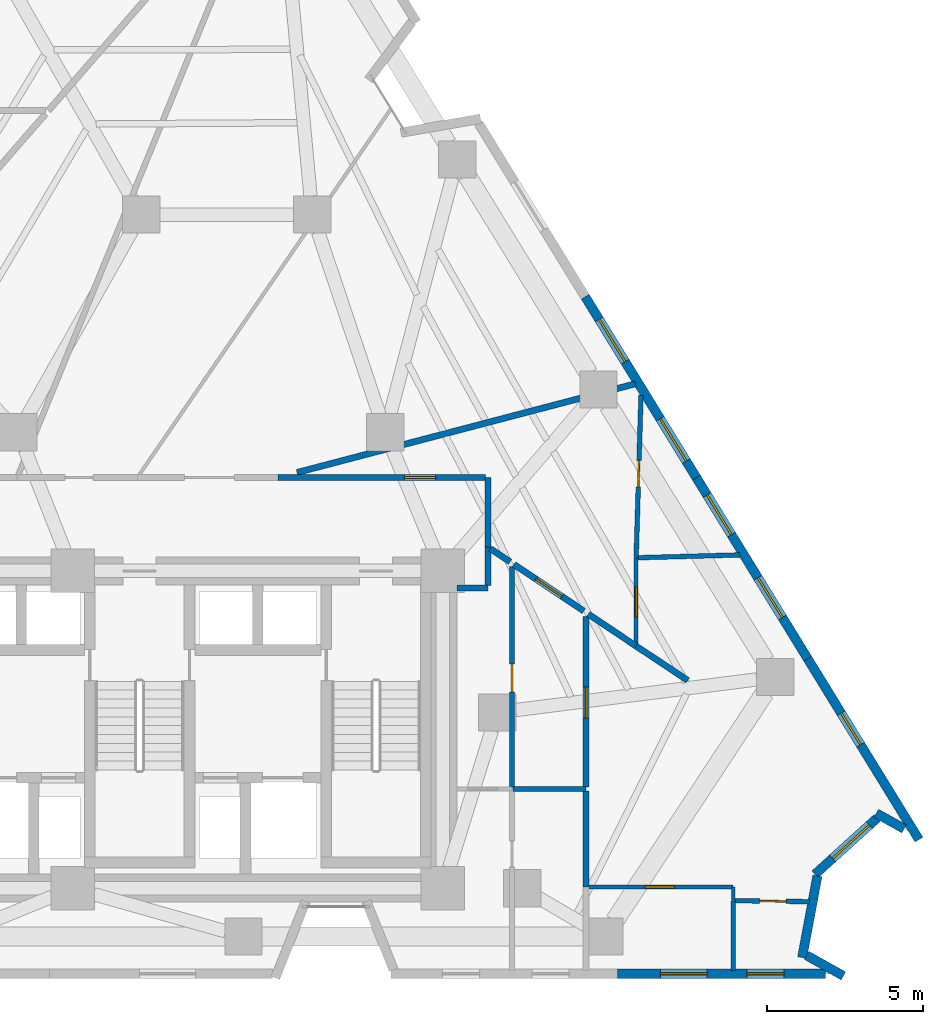
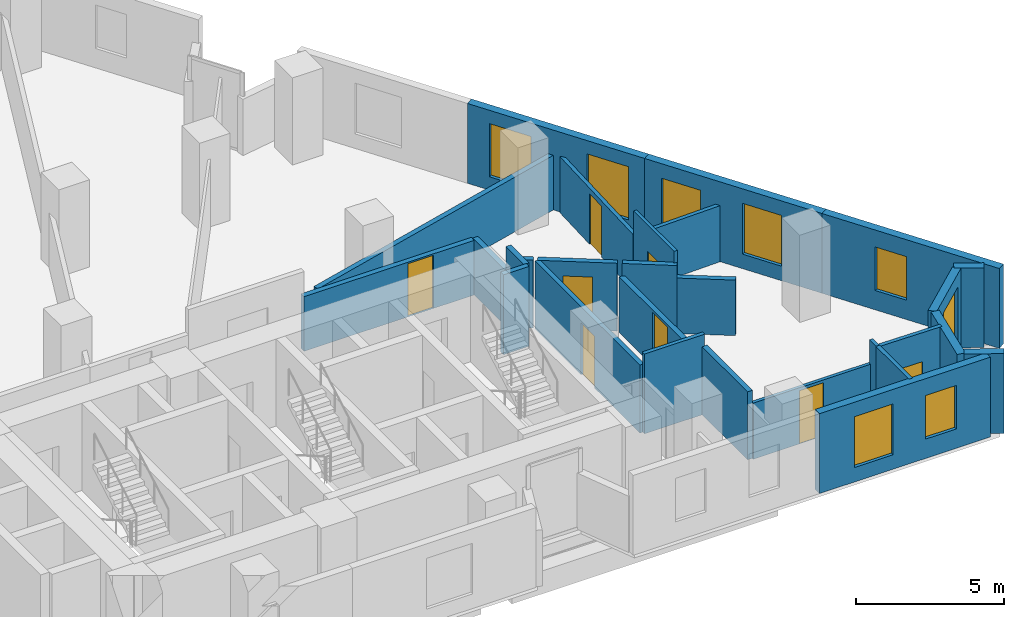
# One storey, part 9 of 13: 28 walls, 8 doors, 8 windows, 16 openings.
"""IFC4 building model written with IfcOpenShell, lengths in metres."""

from ifc_helpers import new_model, si_unit, direction, frame, frame_2d, origin, place, context, subcontext, project, spatial, rectangle, extrude, material, layer, layer_set, type_object, element, fill, save


model = new_model("IFC4")

# Units and contexts
model_context = context("Model", 3, precision=1e-05, world=origin(), true_north=direction((0.0, 1.0)))
body_context = subcontext(model_context, "Body", "Model", "MODEL_VIEW")
ifc_project = project(units=[si_unit("LENGTHUNIT", "METRE"), si_unit("AREAUNIT", "SQUARE_METRE"), si_unit("VOLUMEUNIT", "CUBIC_METRE"), si_unit("PLANEANGLEUNIT", "RADIAN"), si_unit("MASSUNIT", "GRAM", prefix="KILO")], contexts=[model_context])

# Site, building, storey
site_placement = place(None, origin())
site = spatial("IfcSite", under=ifc_project, at=site_placement, CompositionType="ELEMENT")
building_placement = place(site_placement, origin())
building = spatial("IfcBuilding", under=site, at=building_placement, Name="Almagre Mirador Tower", CompositionType="ELEMENT")
storey_placement = place(building_placement, frame((0.0, 0.0, 96.60009765625)))
storey = spatial("IfcBuildingStorey", under=building, at=storey_placement, Name="L24", CompositionType="ELEMENT", Elevation=96.60009765625)

# Wall, openings, windows
ifc_material_1 = material(Name="Precast concrete C50/60", Category="concrete")
ifc_layer_1 = layer(ifc_material_1, 0.300048828125)
ifc_layer_set_1 = layer_set([ifc_layer_1], Name="Precast concrete C50/60")
wall_type_1 = type_object("IfcWallType", Name="WAL-EXT-300", PredefinedType="SOLIDWALL", material=ifc_layer_set_1)
wall_1_placement = place(storey_placement, frame((51.6240234375, 23.55908203125, 0.0), z_axis=(0.0, 0.0, 1.0), x_axis=(0.52370032897, -0.851902556303, 0.0)))
wall_1 = element("IfcWall", 1, at=wall_1_placement, inside=storey, type_object=wall_type_1, Name="L24 expressed almagre precast frame wall 15", PredefinedType="SOLIDWALL", context=body_context, shape_type="SweptSolid", body=[
    extrude(rectangle(XDim=6.8271484375, YDim=0.300048828125, at=frame_2d((3.41357421875, 0.0))), origin(), (0.0, 0.0, 1.0), 3.2998046875),
])
opening_1_placement = place(wall_1_placement, frame((4.60009765625, 0.0, 0.550048828125)))
opening_1 = element("IfcOpeningElement", 2, at=opening_1_placement, cuts=wall_1, Name="Opening WN-06", PredefinedType="OPENING", context=body_context, shape_type="SweptSolid", body=[
    extrude(rectangle(XDim=1.60009765625, YDim=2.199951171875, at=frame_2d((0.800048828125, 1.10009765625))), frame((0.0, 0.159902, 0.0), z_axis=(0.0, -1.0, 0.0), x_axis=(1.0, 0.0, 0.0)), (0.0, 0.0, 1.0), 0.320049),
])
opening_2_placement = place(wall_1_placement, frame((0.85009765625, 0.0, 0.550048828125)))
opening_2 = element("IfcOpeningElement", 3, at=opening_2_placement, cuts=wall_1, Name="Opening WN-06", PredefinedType="OPENING", context=body_context, shape_type="SweptSolid", body=[
    extrude(rectangle(XDim=1.60009765625, YDim=2.199951171875, at=frame_2d((0.800048828125, 1.10009765625))), frame((0.0, 0.159902, 0.0), z_axis=(0.0, -1.0, 0.0), x_axis=(1.0, 0.0, 0.0)), (0.0, 0.0, 1.0), 0.320049),
])
ifc_material_2 = material(Name="Dark solar-control laminated hurricane glass", Category="glass")
window_type_1 = type_object("IfcWindowType", Name="WIN-1600X2200", PartitioningType="DOUBLE_PANEL_VERTICAL", PredefinedType="WINDOW", material=ifc_material_2)
window_1_placement = place(opening_1_placement, origin())
window_1 = element("IfcWindow", 4, at=window_1_placement, inside=storey, type_object=window_type_1, Name="L24 recessed hurricane window L24-UF-BT", OverallHeight=2.199951171875, OverallWidth=1.60009765625, PartitioningType="SINGLE_PANEL", PredefinedType="WINDOW", context=body_context, shape_type="SweptSolid", body=[
    extrude(rectangle(XDim=1.60009765625, YDim=2.199951171875, at=frame_2d((0.800048828125, 1.10009765625))), frame((0.0, 0.030029296875, 0.0), z_axis=(0.0, -1.0, 0.0), x_axis=(1.0, 0.0, 0.0)), (0.0, 0.0, 1.0), 0.06005859375),
])
fill(opening_1, window_1)
window_2_placement = place(opening_2_placement, origin())
window_2 = element("IfcWindow", 5, at=window_2_placement, inside=storey, type_object=window_type_1, Name="L24 recessed hurricane window L24-RST-J", OverallHeight=2.199951171875, OverallWidth=1.60009765625, PartitioningType="SINGLE_PANEL", PredefinedType="WINDOW", context=body_context, shape_type="SweptSolid", body=[
    extrude(rectangle(XDim=1.60009765625, YDim=2.199951171875, at=frame_2d((0.800048828125, 1.10009765625))), frame((0.0, 0.030029296875, 0.0), z_axis=(0.0, -1.0, 0.0), x_axis=(1.0, 0.0, 0.0)), (0.0, 0.0, 1.0), 0.06005859375),
])
fill(opening_2, window_2)

wall_2_placement = place(storey_placement, frame((55.199462890625, 17.742919921875, 0.0), z_axis=(0.0, 0.0, 1.0), x_axis=(0.52370032897, -0.851902556303, 0.0)))
wall_2 = element("IfcWall", 6, at=wall_2_placement, inside=storey, type_object=wall_type_1, Name="L24 expressed almagre precast frame wall 16", PredefinedType="SOLIDWALL", context=body_context, shape_type="SweptSolid", body=[
    extrude(rectangle(XDim=6.8271484375, YDim=0.300048828125, at=frame_2d((3.41357421875, 0.0))), origin(), (0.0, 0.0, 1.0), 3.2998046875),
])
opening_3_placement = place(wall_2_placement, frame((0.64990234375, 0.0, 0.60009765625)))
opening_3 = element("IfcOpeningElement", 7, at=opening_3_placement, cuts=wall_2, Name="Opening WN-03", PredefinedType="OPENING", context=body_context, shape_type="SweptSolid", body=[
    extrude(rectangle(XDim=1.5, YDim=2.10009765625, at=frame_2d((0.75, 1.050048828125))), frame((0.0, 0.159902, 0.0), z_axis=(0.0, -1.0, 0.0), x_axis=(1.0, 0.0, 0.0)), (0.0, 0.0, 1.0), 0.320049),
])
opening_4_placement = place(wall_2_placement, frame((3.77490234375, 0.0, 0.60009765625)))
opening_4 = element("IfcOpeningElement", 8, at=opening_4_placement, cuts=wall_2, Name="Opening WN-03", PredefinedType="OPENING", context=body_context, shape_type="SweptSolid", body=[
    extrude(rectangle(XDim=1.5, YDim=2.10009765625, at=frame_2d((0.75, 1.050048828125))), frame((0.0, 0.159902, 0.0), z_axis=(0.0, -1.0, 0.0), x_axis=(1.0, 0.0, 0.0)), (0.0, 0.0, 1.0), 0.320049),
])
ifc_material_3 = material(Name="Dark solar-control laminated hurricane glass", Category="glass")
window_type_2 = type_object("IfcWindowType", Name="WIN-1500X2100", PartitioningType="DOUBLE_PANEL_VERTICAL", PredefinedType="WINDOW", material=ifc_material_3)
window_3_placement = place(opening_3_placement, origin())
window_3 = element("IfcWindow", 9, at=window_3_placement, inside=storey, type_object=window_type_2, Name="L24 recessed hurricane window L24-UF-BT", OverallHeight=2.10009765625, OverallWidth=1.5, PartitioningType="SINGLE_PANEL", PredefinedType="WINDOW", context=body_context, shape_type="SweptSolid", body=[
    extrude(rectangle(XDim=1.5, YDim=2.10009765625, at=frame_2d((0.75, 1.050048828125))), frame((0.0, 0.030029296875, 0.0), z_axis=(0.0, -1.0, 0.0), x_axis=(1.0, 0.0, 0.0)), (0.0, 0.0, 1.0), 0.06005859375),
])
fill(opening_3, window_3)
window_4_placement = place(opening_4_placement, origin())
window_4 = element("IfcWindow", 10, at=window_4_placement, inside=storey, type_object=window_type_2, Name="L24 recessed hurricane window L24-UF-KT", OverallHeight=2.10009765625, OverallWidth=1.5, PartitioningType="SINGLE_PANEL", PredefinedType="WINDOW", context=body_context, shape_type="SweptSolid", body=[
    extrude(rectangle(XDim=1.5, YDim=2.10009765625, at=frame_2d((0.75, 1.050048828125))), frame((0.0, 0.030029296875, 0.0), z_axis=(0.0, -1.0, 0.0), x_axis=(1.0, 0.0, 0.0)), (0.0, 0.0, 1.0), 0.06005859375),
])
fill(opening_4, window_4)

# Wall, opening, window
wall_3_placement = place(storey_placement, frame((58.77490234375, 11.9267578125, 0.0), z_axis=(0.0, 0.0, 1.0), x_axis=(0.52370032897, -0.851902556303, 0.0)))
wall_3 = element("IfcWall", 11, at=wall_3_placement, inside=storey, type_object=wall_type_1, Name="L24 expressed almagre precast frame wall 17", PredefinedType="SOLIDWALL", context=body_context, shape_type="SweptSolid", body=[
    extrude(rectangle(XDim=6.8271484375, YDim=0.300048828125, at=frame_2d((3.41357421875, 0.0))), origin(), (0.0, 0.0, 1.0), 3.2998046875),
])
opening_5_placement = place(wall_3_placement, frame((2.050048828125, 0.0, 0.800048828125)))
opening_5 = element("IfcOpeningElement", 12, at=opening_5_placement, cuts=wall_3, Name="Opening WN-04", PredefinedType="OPENING", context=body_context, shape_type="SweptSolid", body=[
    extrude(rectangle(XDim=1.199951171875, YDim=1.800048828125, at=frame_2d((0.60009765625, 0.89990234375))), frame((0.0, 0.159902, 0.0), z_axis=(0.0, -1.0, 0.0), x_axis=(1.0, 0.0, 0.0)), (0.0, 0.0, 1.0), 0.320049),
])
ifc_material_4 = material(Name="Dark solar-control laminated hurricane glass", Category="glass")
window_type_3 = type_object("IfcWindowType", Name="WIN-1200X1800", PartitioningType="SINGLE_PANEL", PredefinedType="WINDOW", material=ifc_material_4)
window_5_placement = place(opening_5_placement, origin())
window_5 = element("IfcWindow", 13, at=window_5_placement, inside=storey, type_object=window_type_3, Name="L24 recessed hurricane window L24-UF-KT", OverallHeight=1.800048828125, OverallWidth=1.199951171875, PartitioningType="SINGLE_PANEL", PredefinedType="WINDOW", context=body_context, shape_type="SweptSolid", body=[
    extrude(rectangle(XDim=1.199951171875, YDim=1.800048828125, at=frame_2d((0.60009765625, 0.89990234375))), frame((0.0, 0.030029296875, 0.0), z_axis=(0.0, -1.0, 0.0), x_axis=(1.0, 0.0, 0.0)), (0.0, 0.0, 1.0), 0.06005859375),
])
fill(opening_5, window_5)

# Wall
wall_4_placement = place(storey_placement, frame((61.87109375, 6.45703125, 0.0), z_axis=(0.0, 0.0, 1.0), x_axis=(-0.872635981388, 0.488371215355, 0.0)))
element("IfcWall", 14, at=wall_4_placement, inside=storey, type_object=wall_type_1, Name="L24 expressed almagre precast frame wall 18", PredefinedType="SOLIDWALL", context=body_context, shape_type="SweptSolid", body=[
    extrude(rectangle(XDim=1.02490234375, YDim=0.300048828125, at=frame_2d((0.512451171875, 0.0))), origin(), (0.0, 0.0, 1.0), 3.2998046875),
])

# Wall, opening, window
wall_5_placement = place(storey_placement, frame((61.002685546875, 6.8017578125, 0.0), z_axis=(0.0, 0.0, 1.0), x_axis=(-0.741163448221, -0.671324618215, 0.0)))
wall_5 = element("IfcWall", 15, at=wall_5_placement, inside=storey, type_object=wall_type_1, Name="L24 expressed almagre precast frame wall 19", PredefinedType="SOLIDWALL", context=body_context, shape_type="SweptSolid", body=[
    extrude(rectangle(XDim=2.688232421875, YDim=0.300048828125, at=frame_2d((1.34423828125, 0.0))), origin(), (0.0, 0.0, 1.0), 3.2998046875),
])
opening_6_placement = place(wall_5_placement, frame((0.330078125, 0.0, 0.550048828125)))
opening_6 = element("IfcOpeningElement", 16, at=opening_6_placement, cuts=wall_5, Name="Opening WN-06", PredefinedType="OPENING", context=body_context, shape_type="SweptSolid", body=[
    extrude(rectangle(XDim=1.60009765625, YDim=2.199951171875, at=frame_2d((0.800048828125, 1.10009765625))), frame((0.0, 0.159902, 0.0), z_axis=(0.0, -1.0, 0.0), x_axis=(1.0, 0.0, 0.0)), (0.0, 0.0, 1.0), 0.320049),
])
window_6_placement = place(opening_6_placement, origin())
window_6 = element("IfcWindow", 17, at=window_6_placement, inside=storey, type_object=window_type_1, Name="L24 recessed hurricane window L24-UD-ST", OverallHeight=2.199951171875, OverallWidth=1.60009765625, PartitioningType="SINGLE_PANEL", PredefinedType="WINDOW", context=body_context, shape_type="SweptSolid", body=[
    extrude(rectangle(XDim=1.60009765625, YDim=2.199951171875, at=frame_2d((0.800048828125, 1.10009765625))), frame((0.0, 0.030029296875, 0.0), z_axis=(0.0, -1.0, 0.0), x_axis=(1.0, 0.0, 0.0)), (0.0, 0.0, 1.0), 0.06005859375),
])
fill(opening_6, window_6)

# Walls
wall_6_placement = place(storey_placement, frame((59.08740234375, 4.948486328125, 0.0), z_axis=(0.0, 0.0, 1.0), x_axis=(-0.183786629236, -0.982966161632, 0.0)))
element("IfcWall", 18, at=wall_6_placement, inside=storey, type_object=wall_type_1, Name="L24 expressed almagre precast frame wall 20", PredefinedType="SOLIDWALL", context=body_context, shape_type="SweptSolid", body=[
    extrude(rectangle(XDim=2.672607421875, YDim=0.300048828125, at=frame_2d((1.33642578125, 0.0))), origin(), (0.0, 0.0, 1.0), 3.2998046875),
])
wall_7_placement = place(storey_placement, frame((58.7353515625, 2.3955078125, 0.0), z_axis=(0.0, 0.0, 1.0), x_axis=(0.872747775204, -0.488171405221, 0.0)))
element("IfcWall", 19, at=wall_7_placement, inside=storey, type_object=wall_type_1, Name="L24 expressed almagre precast frame wall 21", PredefinedType="SOLIDWALL", context=body_context, shape_type="SweptSolid", body=[
    extrude(rectangle(XDim=1.35986328125, YDim=0.300048828125, at=frame_2d((0.679931640625, 0.0))), origin(), (0.0, 0.0, 1.0), 3.2998046875),
])

# Wall, openings, windows
wall_8_placement = place(storey_placement, frame((59.340087890625, 1.800048828125, 0.0), z_axis=(0.0, 0.0, 1.0), x_axis=(-1.0, 0.0, 0.0)))
wall_8 = element("IfcWall", 20, at=wall_8_placement, inside=storey, type_object=wall_type_1, Name="L24 expressed almagre precast frame wall 22", PredefinedType="SOLIDWALL", context=body_context, shape_type="SweptSolid", body=[
    extrude(rectangle(XDim=6.68212890625, YDim=0.300048828125, at=frame_2d((3.341064453125, 0.0))), origin(), (0.0, 0.0, 1.0), 3.2998046875),
])
opening_7_placement = place(wall_8_placement, frame((3.800048828125, 0.0, 0.60009765625)))
opening_7 = element("IfcOpeningElement", 21, at=opening_7_placement, cuts=wall_8, Name="Opening WN-03", PredefinedType="OPENING", context=body_context, shape_type="SweptSolid", body=[
    extrude(rectangle(XDim=1.5, YDim=2.10009765625, at=frame_2d((0.75, 1.050048828125))), frame((0.0, 0.159902, 0.0), z_axis=(0.0, -1.0, 0.0), x_axis=(1.0, 0.0, 0.0)), (0.0, 0.0, 1.0), 0.320049),
])
opening_8_placement = place(wall_8_placement, frame((1.324951171875, 0.0, 0.800048828125)))
opening_8 = element("IfcOpeningElement", 22, at=opening_8_placement, cuts=wall_8, Name="Opening WN-04", PredefinedType="OPENING", context=body_context, shape_type="SweptSolid", body=[
    extrude(rectangle(XDim=1.199951171875, YDim=1.800048828125, at=frame_2d((0.60009765625, 0.89990234375))), frame((0.0, 0.159902, 0.0), z_axis=(0.0, -1.0, 0.0), x_axis=(1.0, 0.0, 0.0)), (0.0, 0.0, 1.0), 0.320049),
])
window_7_placement = place(opening_8_placement, origin())
window_7 = element("IfcWindow", 23, at=window_7_placement, inside=storey, type_object=window_type_3, Name="L24 recessed hurricane window L24-UD-BT", OverallHeight=1.800048828125, OverallWidth=1.199951171875, PartitioningType="SINGLE_PANEL", PredefinedType="WINDOW", context=body_context, shape_type="SweptSolid", body=[
    extrude(rectangle(XDim=1.199951171875, YDim=1.800048828125, at=frame_2d((0.60009765625, 0.89990234375))), frame((0.0, 0.030029296875, 0.0), z_axis=(0.0, -1.0, 0.0), x_axis=(1.0, 0.0, 0.0)), (0.0, 0.0, 1.0), 0.06005859375),
])
fill(opening_8, window_7)
window_8_placement = place(opening_7_placement, origin())
window_8 = element("IfcWindow", 24, at=window_8_placement, inside=storey, type_object=window_type_2, Name="L24 recessed hurricane window L24-UD-KT", OverallHeight=2.10009765625, OverallWidth=1.5, PartitioningType="SINGLE_PANEL", PredefinedType="WINDOW", context=body_context, shape_type="SweptSolid", body=[
    extrude(rectangle(XDim=1.5, YDim=2.10009765625, at=frame_2d((0.75, 1.050048828125))), frame((0.0, 0.030029296875, 0.0), z_axis=(0.0, -1.0, 0.0), x_axis=(1.0, 0.0, 0.0)), (0.0, 0.0, 1.0), 0.06005859375),
])
fill(opening_7, window_8)

# Wall, opening, door
ifc_material_5 = material(Name="Gypsum acoustic stud partition", Category="other")
ifc_layer_2 = layer(ifc_material_5, 0.125)
ifc_layer_set_2 = layer_set([ifc_layer_2], Name="Gypsum acoustic stud partition")
wall_type_2 = type_object("IfcWallType", Name="WAL-PRT-125-UTL", PredefinedType="PARTITIONING", material=ifc_layer_set_2)
wall_9_placement = place(storey_placement, frame((51.735107421875, 4.590087890625, 0.0), z_axis=(0.0, 0.0, 1.0), x_axis=(1.0, 0.0, 0.0)))
wall_9 = element("IfcWall", 25, at=wall_9_placement, inside=storey, type_object=wall_type_2, Name="L24 interior partition 026", PredefinedType="PARTITIONING", context=body_context, shape_type="SweptSolid", body=[
    extrude(rectangle(XDim=4.644775390625, YDim=0.125, at=frame_2d((2.322265625, 0.0))), origin(), (0.0, 0.0, 1.0), 2.31982421875),
])
opening_9_placement = place(wall_9_placement, frame((1.804931640625, 0.0, 0.0)))
opening_9 = element("IfcOpeningElement", 26, at=opening_9_placement, cuts=wall_9, Name="Opening UD-01", PredefinedType="OPENING", context=body_context, shape_type="SweptSolid", body=[
    extrude(rectangle(XDim=0.949951171875, YDim=2.199951171875, at=frame_2d((0.47509765625, 1.10009765625))), frame((0.0, 0.0725, 0.0), z_axis=(0.0, -1.0, 0.0), x_axis=(1.0, 0.0, 0.0)), (0.0, 0.0, 1.0), 0.145),
])
ifc_material_6 = material(Name="Solid American walnut timber", Category="wood")
door_type_1 = type_object("IfcDoorType", Name="DOR-UNR-950X2200", OperationType="NOTDEFINED", PredefinedType="DOOR", material=ifc_material_6)
door_1_placement = place(opening_9_placement, origin())
door_1 = element("IfcDoor", 27, at=door_1_placement, inside=storey, type_object=door_type_1, Name="DR-0820 L24 interior door L24-UD-ST to L24-UD-KT", OperationType="SINGLE_SWING_LEFT", OverallHeight=2.199951171875, OverallWidth=0.949951171875, PredefinedType="DOOR", context=body_context, shape_type="SweptSolid", body=[
    extrude(rectangle(XDim=0.949951171875, YDim=2.199951171875, at=frame_2d((0.47509765625, 1.10009765625))), frame((0.0, 0.02490234375, 0.0), z_axis=(0.0, -1.0, 0.0), x_axis=(1.0, 0.0, 0.0)), (0.0, 0.0, 1.0), 0.050048828125),
])
fill(opening_9, door_1)

# Wall
wall_10_placement = place(storey_placement, frame((56.3798828125, 4.590087890625, 0.0), z_axis=(0.0, 0.0, 1.0), x_axis=(0.0, -1.0, 0.0)))
element("IfcWall", 28, at=wall_10_placement, inside=storey, type_object=wall_type_2, Name="L24 interior partition 027", PredefinedType="PARTITIONING", context=body_context, shape_type="SweptSolid", body=[
    extrude(rectangle(XDim=0.440185546875, YDim=0.125, at=frame_2d((0.22021484375, 0.0))), origin(), (0.0, 0.0, 1.0), 3.2998046875),
])

# Wall, opening, door
wall_11_placement = place(storey_placement, frame((53.260009765625, 12.4150390625, 0.0), z_axis=(0.0, 0.0, 1.0), x_axis=(0.0, 1.0, 0.0)))
wall_11 = element("IfcWall", 29, at=wall_11_placement, inside=storey, type_object=wall_type_2, Name="L24 interior partition 034", PredefinedType="PARTITIONING", context=body_context, shape_type="SweptSolid", body=[
    extrude(rectangle(XDim=2.7548828125, YDim=0.125, at=frame_2d((1.37744140625, 0.0))), origin(), (0.0, 0.0, 1.0), 3.2998046875),
])
opening_10_placement = place(wall_11_placement, frame((0.860107421875, 0.0, 0.0)))
opening_10 = element("IfcOpeningElement", 30, at=opening_10_placement, cuts=wall_11, Name="Opening UD-01", PredefinedType="OPENING", context=body_context, shape_type="SweptSolid", body=[
    extrude(rectangle(XDim=0.949951171875, YDim=2.199951171875, at=frame_2d((0.47509765625, 1.10009765625))), frame((0.0, 0.0725, 0.0), z_axis=(0.0, -1.0, 0.0), x_axis=(1.0, 0.0, 0.0)), (0.0, 0.0, 1.0), 0.145),
])
door_2_placement = place(opening_10_placement, origin())
door_2 = element("IfcDoor", 31, at=door_2_placement, inside=storey, type_object=door_type_1, Name="DR-0823 L24 interior door L24-UF-ST to L24-UF-KT", OperationType="SINGLE_SWING_RIGHT", OverallHeight=2.199951171875, OverallWidth=0.949951171875, PredefinedType="DOOR", context=body_context, shape_type="SweptSolid", body=[
    extrude(rectangle(XDim=0.949951171875, YDim=2.199951171875, at=frame_2d((0.47509765625, 1.10009765625))), frame((0.0, 0.02490234375, 0.0), z_axis=(0.0, -1.0, 0.0), x_axis=(1.0, 0.0, 0.0)), (0.0, 0.0, 1.0), 0.050048828125),
])
fill(opening_10, door_2)

# Wall
ifc_material_7 = material(Name="Gypsum acoustic stud partition", Category="other")
ifc_layer_3 = layer(ifc_material_7, 0.14990234375)
ifc_layer_set_3 = layer_set([ifc_layer_3], Name="Gypsum acoustic stud partition")
wall_type_3 = type_object("IfcWallType", Name="WAL-PRT-150-STD", PredefinedType="PARTITIONING", material=ifc_layer_set_3)
wall_12_placement = place(storey_placement, frame((51.64990234375, 7.739990234375, 0.0), z_axis=(0.0, 0.0, 1.0), x_axis=(-1.0, 0.0, 0.0)))
element("IfcWall", 32, at=wall_12_placement, inside=storey, type_object=wall_type_3, Name="L24 interior partition 021", PredefinedType="PARTITIONING", context=body_context, shape_type="SweptSolid", body=[
    extrude(rectangle(XDim=2.35498046875, YDim=0.14990234375, at=frame_2d((1.177490234375, 0.0))), origin(), (0.0, 0.0, 1.0), 3.2998046875),
])

# Wall, opening, door
wall_13_placement = place(storey_placement, frame((56.427490234375, 4.1494140625, 0.0), z_axis=(0.0, 0.0, 1.0), x_axis=(0.999914304773, -0.013091337188, 0.0)))
wall_13 = element("IfcWall", 33, at=wall_13_placement, inside=storey, type_object=wall_type_3, Name="L24 interior partition 028", PredefinedType="PARTITIONING", context=body_context, shape_type="SweptSolid", body=[
    extrude(rectangle(XDim=2.40576171875, YDim=0.14990234375, at=frame_2d((1.202880859375, 0.0))), origin(), (0.0, 0.0, 1.0), 3.2998046875),
])
opening_11_placement = place(wall_13_placement, frame((0.80419921875, 0.0, 0.0)))
opening_11 = element("IfcOpeningElement", 34, at=opening_11_placement, cuts=wall_13, Name="Opening UD-04", PredefinedType="OPENING", context=body_context, shape_type="SweptSolid", body=[
    extrude(rectangle(XDim=0.85009765625, YDim=2.10009765625, at=frame_2d((0.425048828125, 1.050048828125))), frame((0.0, 0.084951, 0.0), z_axis=(0.0, -1.0, 0.0), x_axis=(1.0, 0.0, 0.0)), (0.0, 0.0, 1.0), 0.169902),
])
ifc_material_8 = material(Name="Moisture-resistant oak timber", Category="wood")
door_type_2 = type_object("IfcDoorType", Name="DOR-UNR-850X2100", OperationType="NOTDEFINED", PredefinedType="DOOR", material=ifc_material_8)
door_3_placement = place(opening_11_placement, origin())
door_3 = element("IfcDoor", 35, at=door_3_placement, inside=storey, type_object=door_type_2, Name="DR-0821 L24 interior door L24-UD-ST to L24-UD-BT", OperationType="SINGLE_SWING_RIGHT", OverallHeight=2.10009765625, OverallWidth=0.85009765625, PredefinedType="DOOR", context=body_context, shape_type="SweptSolid", body=[
    extrude(rectangle(XDim=0.85009765625, YDim=2.10009765625, at=frame_2d((0.425048828125, 1.050048828125))), frame((0.0, 0.02490234375, 0.0), z_axis=(0.0, -1.0, 0.0), x_axis=(1.0, 0.0, 0.0)), (0.0, 0.0, 1.0), 0.050048828125),
])
fill(opening_11, door_3)

# Wall
wall_14_placement = place(storey_placement, frame((56.3798828125, 1.89990234375, 0.0), z_axis=(0.0, 0.0, 1.0), x_axis=(0.0, 1.0, 0.0)))
element("IfcWall", 36, at=wall_14_placement, inside=storey, type_object=wall_type_3, Name="L24 interior partition 031", PredefinedType="PARTITIONING", context=body_context, shape_type="SweptSolid", body=[
    extrude(rectangle(XDim=2.237548828125, YDim=0.14990234375, at=frame_2d((1.11865234375, 0.0))), origin(), (0.0, 0.0, 1.0), 3.2998046875),
])

# Wall, opening, door
wall_15_placement = place(storey_placement, frame((53.260009765625, 15.169921875, 0.0), z_axis=(0.0, 0.0, 1.0), x_axis=(0.029866031463, 0.999553910584, 0.0)))
wall_15 = element("IfcWall", 37, at=wall_15_placement, inside=storey, type_object=wall_type_3, Name="L24 interior partition 033", PredefinedType="PARTITIONING", context=body_context, shape_type="SweptSolid", body=[
    extrude(rectangle(XDim=5.2236328125, YDim=0.14990234375, at=frame_2d((2.61181640625, 0.0))), origin(), (0.0, 0.0, 1.0), 2.31982421875),
])
opening_12_placement = place(wall_15_placement, frame((2.279296875, 0.0, 0.0)))
opening_12 = element("IfcOpeningElement", 38, at=opening_12_placement, cuts=wall_15, Name="Opening UD-04", PredefinedType="OPENING", context=body_context, shape_type="SweptSolid", body=[
    extrude(rectangle(XDim=0.85009765625, YDim=2.10009765625, at=frame_2d((0.425048828125, 1.050048828125))), frame((0.0, 0.084951, 0.0), z_axis=(0.0, -1.0, 0.0), x_axis=(1.0, 0.0, 0.0)), (0.0, 0.0, 1.0), 0.169902),
])
door_4_placement = place(opening_12_placement, origin())
door_4 = element("IfcDoor", 39, at=door_4_placement, inside=storey, type_object=door_type_2, Name="DR-0824 L24 interior door L24-UF-ST to L24-UF-BT", OperationType="SINGLE_SWING_LEFT", OverallHeight=2.10009765625, OverallWidth=0.85009765625, PredefinedType="DOOR", context=body_context, shape_type="SweptSolid", body=[
    extrude(rectangle(XDim=0.85009765625, YDim=2.10009765625, at=frame_2d((0.425048828125, 1.050048828125))), frame((0.0, 0.02490234375, 0.0), z_axis=(0.0, -1.0, 0.0), x_axis=(1.0, 0.0, 0.0)), (0.0, 0.0, 1.0), 0.050048828125),
])
fill(opening_12, door_4)

# Wall
wall_16_placement = place(storey_placement, frame((53.320068359375, 15.17138671875, 0.0), z_axis=(0.0, 0.0, 1.0), x_axis=(0.999624598181, 0.02739822461, 0.0)))
element("IfcWall", 40, at=wall_16_placement, inside=storey, type_object=wall_type_3, Name="L24 interior partition 036", PredefinedType="PARTITIONING", context=body_context, shape_type="SweptSolid", body=[
    extrude(rectangle(XDim=3.270263671875, YDim=0.14990234375, at=frame_2d((1.63525390625, 0.0))), origin(), (0.0, 0.0, 1.0), 2.31982421875),
])

# Wall, opening, door
ifc_material_9 = material(Name="Gypsum acoustic stud partition", Category="other")
ifc_layer_4 = layer(ifc_material_9, 0.175048828125)
ifc_layer_set_4 = layer_set([ifc_layer_4], Name="Gypsum acoustic stud partition")
wall_type_4 = type_object("IfcWallType", Name="WAL-PRT-175-AC", PredefinedType="PARTITIONING", material=ifc_layer_set_4)
wall_17_placement = place(storey_placement, frame((49.27001953125, 7.78759765625, 0.0), z_axis=(0.0, 0.0, 1.0), x_axis=(0.0, 1.0, 0.0)))
wall_17 = element("IfcWall", 41, at=wall_17_placement, inside=storey, type_object=wall_type_4, Name="L24 interior partition 018", PredefinedType="PARTITIONING", context=body_context, shape_type="SweptSolid", body=[
    extrude(rectangle(XDim=7.102294921875, YDim=0.175048828125, at=frame_2d((3.55126953125, 0.0))), origin(), (0.0, 0.0, 1.0), 2.809814453125),
])
opening_13_placement = place(wall_17_placement, frame((3.072998046875, 0.0, 0.0)))
opening_13 = element("IfcOpeningElement", 42, at=opening_13_placement, cuts=wall_17, Name="Opening UD-02", PredefinedType="OPENING", context=body_context, shape_type="SweptSolid", body=[
    extrude(rectangle(XDim=0.89990234375, YDim=2.14990234375, at=frame_2d((0.449951171875, 1.074951171875))), frame((0.0, 0.097402, 0.0), z_axis=(0.0, -1.0, 0.0), x_axis=(1.0, 0.0, 0.0)), (0.0, 0.0, 1.0), 0.195049),
])
ifc_material_10 = material(Name="Solid American walnut timber", Category="wood")
door_type_3 = type_object("IfcDoorType", Name="DOR-UNR-900X2150", OperationType="NOTDEFINED", PredefinedType="DOOR", material=ifc_material_10)
door_5_placement = place(opening_13_placement, origin())
door_5 = element("IfcDoor", 43, at=door_5_placement, inside=storey, type_object=door_type_3, Name="DR-0819 L24 interior door L24-UC-LV to L24-UC-B1", OperationType="SINGLE_SWING_RIGHT", OverallHeight=2.14990234375, OverallWidth=0.89990234375, PredefinedType="DOOR", context=body_context, shape_type="SweptSolid", body=[
    extrude(rectangle(XDim=0.89990234375, YDim=2.14990234375, at=frame_2d((0.449951171875, 1.074951171875))), frame((0.0, 0.02490234375, 0.0), z_axis=(0.0, -1.0, 0.0), x_axis=(1.0, 0.0, 0.0)), (0.0, 0.0, 1.0), 0.050048828125),
])
fill(opening_13, door_5)

# Walls
ifc_material_11 = material(Name="Gypsum acoustic stud partition", Category="other")
ifc_layer_5 = layer(ifc_material_11, 0.199951171875)
ifc_layer_set_5 = layer_set([ifc_layer_5], Name="Gypsum acoustic stud partition")
wall_type_5 = type_object("IfcWallType", Name="WAL-PRT-200-EI60", PredefinedType="PARTITIONING", material=ifc_layer_set_5)
wall_18_placement = place(storey_placement, frame((47.5, 14.199951171875, 0.0), z_axis=(0.0, 0.0, 1.0), x_axis=(1.0, 0.0, 0.0)))
element("IfcWall", 44, at=wall_18_placement, inside=storey, type_object=wall_type_5, Name="L24 interior partition 003", PredefinedType="PARTITIONING", context=body_context, shape_type="SweptSolid", body=[
    extrude(rectangle(XDim=1.0, YDim=0.199951171875, at=frame_2d((0.5, 0.0))), origin(), (0.0, 0.0, 1.0), 3.2998046875),
])
wall_19_placement = place(storey_placement, frame((48.5, 14.284912109375, 0.0), z_axis=(0.0, 0.0, 1.0), x_axis=(0.0, 1.0, 0.0)))
element("IfcWall", 45, at=wall_19_placement, inside=storey, type_object=wall_type_5, Name="L24 interior partition 004", PredefinedType="PARTITIONING", context=body_context, shape_type="SweptSolid", body=[
    extrude(rectangle(XDim=1.22509765625, YDim=0.199951171875, at=frame_2d((0.612548828125, 0.0))), origin(), (0.0, 0.0, 1.0), 3.2998046875),
])
wall_20_placement = place(storey_placement, frame((48.5, 15.510009765625, 0.0), z_axis=(0.0, 0.0, 1.0), x_axis=(0.0, 1.0, 0.0)))
element("IfcWall", 46, at=wall_20_placement, inside=storey, type_object=wall_type_5, Name="L24 interior partition 006", PredefinedType="PARTITIONING", context=body_context, shape_type="SweptSolid", body=[
    extrude(rectangle(XDim=2.239990234375, YDim=0.199951171875, at=frame_2d((1.1201171875, 0.0))), origin(), (0.0, 0.0, 1.0), 2.294921875),
])

# Wall, opening, door
wall_21_placement = place(storey_placement, frame((48.4150390625, 17.75, 0.0), z_axis=(0.0, 0.0, 1.0), x_axis=(-1.0, 0.0, 0.0)))
wall_21 = element("IfcWall", 47, at=wall_21_placement, inside=storey, type_object=wall_type_5, Name="L24 interior partition 007", PredefinedType="PARTITIONING", context=body_context, shape_type="SweptSolid", body=[
    extrude(rectangle(XDim=6.6650390625, YDim=0.199951171875, at=frame_2d((3.33251953125, 0.0))), origin(), (0.0, 0.0, 1.0), 2.2587890625),
])
opening_14_placement = place(wall_21_placement, frame((1.600830078125, 0.0, 0.0)))
opening_14 = element("IfcOpeningElement", 48, at=opening_14_placement, cuts=wall_21, Name="Opening ID-01", PredefinedType="OPENING", context=body_context, shape_type="SweptSolid", body=[
    extrude(rectangle(XDim=1.0, YDim=2.199951171875, at=frame_2d((0.5, 1.10009765625))), frame((0.0, 0.110098, 0.0), z_axis=(0.0, -1.0, 0.0), x_axis=(1.0, 0.0, 0.0)), (0.0, 0.0, 1.0), 0.219951),
])
ifc_material_12 = material(Name="Fire-rated walnut timber", Category="wood")
door_type_4 = type_object("IfcDoorType", Name="DOR-FD60-1000X2200", OperationType="NOTDEFINED", PredefinedType="DOOR", material=ifc_material_12)
door_6_placement = place(opening_14_placement, origin())
door_6 = element("IfcDoor", 49, at=door_6_placement, inside=storey, type_object=door_type_4, Name="DR-0822 L24 interior door L24-RCOR to L24-UF-ST", OperationType="SINGLE_SWING_LEFT", OverallHeight=2.199951171875, OverallWidth=1.0, PredefinedType="DOOR", context=body_context, shape_type="SweptSolid", body=[
    extrude(rectangle(XDim=1.0, YDim=2.199951171875, at=frame_2d((0.5, 1.10009765625))), frame((0.0, 0.02490234375, 0.0), z_axis=(0.0, -1.0, 0.0), x_axis=(1.0, 0.0, 0.0)), (0.0, 0.0, 1.0), 0.050048828125),
])
fill(opening_14, door_6)

# Walls
wall_22_placement = place(storey_placement, frame((49.209716796875, 15.0400390625, 0.0), z_axis=(0.0, 0.0, 1.0), x_axis=(-0.833761824074, 0.552124280137, 0.0)))
element("IfcWall", 50, at=wall_22_placement, inside=storey, type_object=wall_type_5, Name="L24 interior partition 019", PredefinedType="PARTITIONING", context=body_context, shape_type="SweptSolid", body=[
    extrude(rectangle(XDim=0.766357421875, YDim=0.199951171875, at=frame_2d((0.38330078125, 0.0))), origin(), (0.0, 0.0, 1.0), 2.809814453125),
])
wall_23_placement = place(storey_placement, frame((51.64990234375, 4.590087890625, 0.0), z_axis=(0.0, 0.0, 1.0), x_axis=(0.0, 1.0, 0.0)))
element("IfcWall", 51, at=wall_23_placement, inside=storey, type_object=wall_type_5, Name="L24 interior partition 022", PredefinedType="PARTITIONING", context=body_context, shape_type="SweptSolid", body=[
    extrude(rectangle(XDim=3.08984375, YDim=0.199951171875, at=frame_2d((1.544921875, 0.0))), origin(), (0.0, 0.0, 1.0), 2.809814453125),
])

# Wall, opening, door
wall_24_placement = place(storey_placement, frame((51.64990234375, 7.800048828125, 0.0), z_axis=(0.0, 0.0, 1.0), x_axis=(0.0, 1.0, 0.0)))
wall_24 = element("IfcWall", 52, at=wall_24_placement, inside=storey, type_object=wall_type_5, Name="L24 interior partition 024", PredefinedType="PARTITIONING", context=body_context, shape_type="SweptSolid", body=[
    extrude(rectangle(XDim=5.48486328125, YDim=0.199951171875, at=frame_2d((2.742431640625, 0.0))), origin(), (0.0, 0.0, 1.0), 2.294921875),
])
opening_15_placement = place(wall_24_placement, frame((2.2158203125, 0.0, 0.0)))
opening_15 = element("IfcOpeningElement", 53, at=opening_15_placement, cuts=wall_24, Name="Opening ID-01", PredefinedType="OPENING", context=body_context, shape_type="SweptSolid", body=[
    extrude(rectangle(XDim=1.0, YDim=2.199951171875, at=frame_2d((0.5, 1.10009765625))), frame((0.0, 0.110098, 0.0), z_axis=(0.0, -1.0, 0.0), x_axis=(1.0, 0.0, 0.0)), (0.0, 0.0, 1.0), 0.219951),
])
door_7_placement = place(opening_15_placement, origin())
door_7 = element("IfcDoor", 54, at=door_7_placement, inside=storey, type_object=door_type_4, Name="DR-0834 L24 interior door L24-UC-B1 to L24-UD-ST", OperationType="SINGLE_SWING_LEFT", OverallHeight=2.199951171875, OverallWidth=1.0, PredefinedType="DOOR", context=body_context, shape_type="SweptSolid", body=[
    extrude(rectangle(XDim=1.0, YDim=2.199951171875, at=frame_2d((0.5, 1.10009765625))), frame((0.0, 0.02490234375, 0.0), z_axis=(0.0, -1.0, 0.0), x_axis=(1.0, 0.0, 0.0)), (0.0, 0.0, 1.0), 0.050048828125),
])
fill(opening_15, door_7)

wall_25_placement = place(storey_placement, frame((51.579345703125, 13.457275390625, 0.0), z_axis=(0.0, 0.0, 1.0), x_axis=(-0.831522214089, 0.555491500814, 0.0)))
wall_25 = element("IfcWall", 55, at=wall_25_placement, inside=storey, type_object=wall_type_5, Name="L24 interior partition 025", PredefinedType="PARTITIONING", context=body_context, shape_type="SweptSolid", body=[
    extrude(rectangle(XDim=2.70458984375, YDim=0.199951171875, at=frame_2d((1.352294921875, 0.0))), origin(), (0.0, 0.0, 1.0), 2.809814453125),
])
opening_16_placement = place(wall_25_placement, frame((0.84619140625, 0.0, 0.0)))
opening_16 = element("IfcOpeningElement", 56, at=opening_16_placement, cuts=wall_25, Name="Opening ID-01", PredefinedType="OPENING", context=body_context, shape_type="SweptSolid", body=[
    extrude(rectangle(XDim=1.0, YDim=2.199951171875, at=frame_2d((0.5, 1.10009765625))), frame((0.0, 0.110098, 0.0), z_axis=(0.0, -1.0, 0.0), x_axis=(1.0, 0.0, 0.0)), (0.0, 0.0, 1.0), 0.219951),
])
door_8_placement = place(opening_16_placement, origin())
door_8 = element("IfcDoor", 57, at=door_8_placement, inside=storey, type_object=door_type_4, Name="DR-0833 L24 interior door L24-UC-B1 to L24-UF-ST", OperationType="SINGLE_SWING_RIGHT", OverallHeight=2.199951171875, OverallWidth=1.0, PredefinedType="DOOR", context=body_context, shape_type="SweptSolid", body=[
    extrude(rectangle(XDim=1.0, YDim=2.199951171875, at=frame_2d((0.5, 1.10009765625))), frame((0.0, 0.02490234375, 0.0), z_axis=(0.0, -1.0, 0.0), x_axis=(1.0, 0.0, 0.0)), (0.0, 0.0, 1.0), 0.050048828125),
])
fill(opening_16, door_8)

# Walls
wall_26_placement = place(storey_placement, frame((53.260009765625, 12.330078125, 0.0), z_axis=(0.0, 0.0, 1.0), x_axis=(-0.830486641952, 0.557038542239, 0.0)))
element("IfcWall", 58, at=wall_26_placement, inside=storey, type_object=wall_type_5, Name="L24 interior partition 029", PredefinedType="PARTITIONING", context=body_context, shape_type="SweptSolid", body=[
    extrude(rectangle(XDim=1.853515625, YDim=0.199951171875, at=frame_2d((0.9267578125, 0.0))), origin(), (0.0, 0.0, 1.0), 2.809814453125),
])
wall_27_placement = place(storey_placement, frame((54.919921875, 11.22998046875, 0.0), z_axis=(0.0, 0.0, 1.0), x_axis=(-0.833556136646, 0.552434762719, 0.0)))
element("IfcWall", 59, at=wall_27_placement, inside=storey, type_object=wall_type_5, Name="L24 interior partition 030", PredefinedType="PARTITIONING", context=body_context, shape_type="SweptSolid", body=[
    extrude(rectangle(XDim=1.991455078125, YDim=0.199951171875, at=frame_2d((0.99560546875, 0.0))), origin(), (0.0, 0.0, 1.0), 2.294921875),
])
wall_28_placement = place(storey_placement, frame((53.235107421875, 20.760986328125, 0.0), z_axis=(0.0, 0.0, 1.0), x_axis=(-0.967298670581, -0.253640063657, 0.0)))
element("IfcWall", 60, at=wall_28_placement, inside=storey, type_object=wall_type_5, Name="L24 interior partition 035", PredefinedType="PARTITIONING", context=body_context, shape_type="SweptSolid", body=[
    extrude(rectangle(XDim=11.24072265625, YDim=0.199951171875, at=frame_2d((5.620361328125, 0.0))), origin(), (0.0, 0.0, 1.0), 2.2587890625),
])

save(model, "model.ifc")
